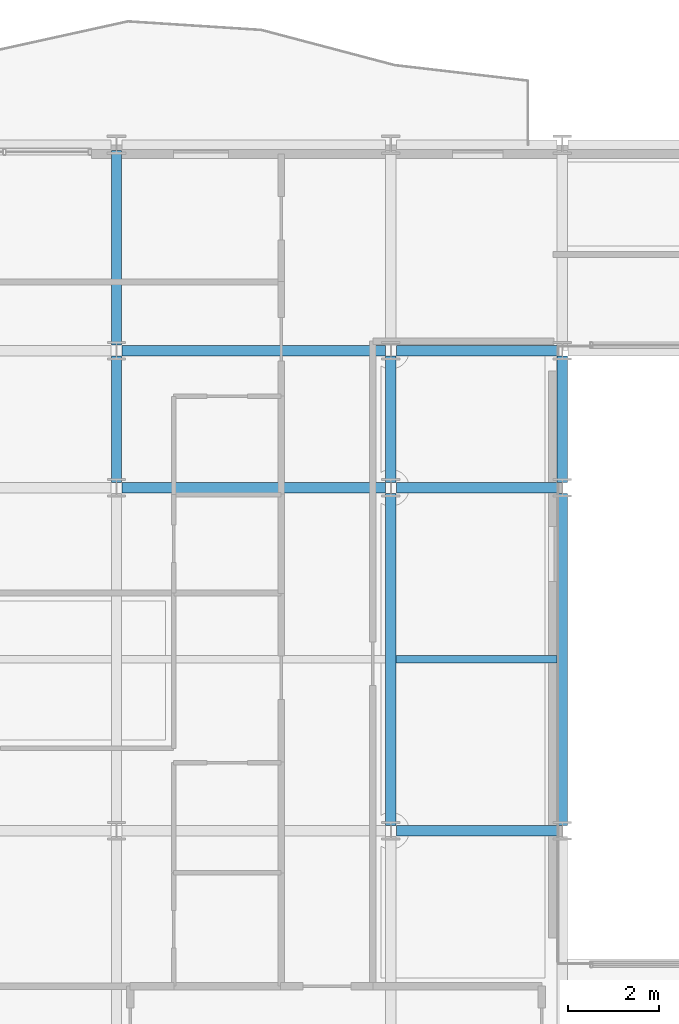
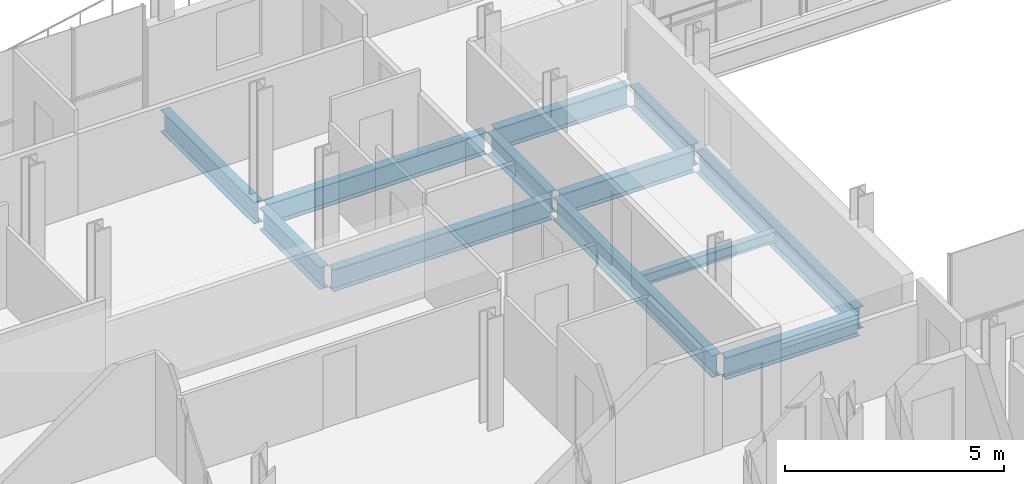
# One storey, part 10 of 41: 12 beams.
"""IFC4 building model written with IfcOpenShell, lengths in metres."""

from ifc_helpers import new_model, si_unit, direction, frame, origin, origin_2d, place, context, subcontext, project, spatial, i_section, extrude, material, material_profile, profile_set, type_object, element, save


model = new_model("IFC4")

# Units and contexts
model_context = context("Model", 3, precision=1e-05, world=origin(), true_north=direction((0.0, 1.0)))
body_context = subcontext(model_context, "Body", "Model", "MODEL_VIEW")
ifc_project = project(units=[si_unit("LENGTHUNIT", "METRE"), si_unit("AREAUNIT", "SQUARE_METRE"), si_unit("VOLUMEUNIT", "CUBIC_METRE"), si_unit("PLANEANGLEUNIT", "RADIAN"), si_unit("MASSUNIT", "GRAM", prefix="KILO")], contexts=[model_context])

# Site, building, storey
site_placement = place(None, origin())
site = spatial("IfcSite", under=ifc_project, at=site_placement, CompositionType="ELEMENT")
building_placement = place(site_placement, origin())
building = spatial("IfcBuilding", under=site, at=building_placement, Name="Brevholm Reach", CompositionType="ELEMENT")
storey_placement = place(building_placement, frame((0.0, 0.0, 163.5)))
storey = spatial("IfcBuildingStorey", under=building, at=storey_placement, Name="L49", CompositionType="ELEMENT", Elevation=163.5)

# Beams
ifc_material_1 = material(Name="Structural Steel S355J2", Category="steel")
ifc_material_profile_1 = material_profile(ifc_material_1, i_section(OverallWidth=0.1650390625, OverallDepth=0.303466796875, WebThickness=0.006103515625, FlangeThickness=0.01025390625, FilletRadius=0.0087890625, at=origin_2d()), Name="UKB 305x165x40")
ifc_profile_set_1 = profile_set([ifc_material_profile_1], Name="Structural Steel S355J2")
beam_type_1 = type_object("IfcBeamType", Name="BM-B305", PredefinedType="BEAM", material=ifc_profile_set_1)
beam_1_placement = place(storey_placement, frame((18.114501953125, 19.75, -0.37158203125), z_axis=(1.0, 0.0, 0.0), x_axis=(0.0, 1.0, 0.0)))
element("IfcBeam", 1, at=beam_1_placement, inside=storey, type_object=beam_type_1, Name="L49 Composite Secondary Floor Beam", PredefinedType="BEAM", context=body_context, shape_type="SweptSolid", body=[
    extrude(i_section(OverallWidth=0.1650390625, OverallDepth=0.303466796875, WebThickness=0.006103515625, FlangeThickness=0.01025390625, FilletRadius=0.0087890625, at=origin_2d()), origin(), (0.0, 0.0, 1.0), 3.52099609375),
])
ifc_material_2 = material(Name="Structural Steel S355J2", Category="steel")
ifc_material_profile_2 = material_profile(ifc_material_2, i_section(OverallWidth=0.22900390625, OverallDepth=0.6123046875, WebThickness=0.011962890625, FlangeThickness=0.01953125, FilletRadius=0.0126953125, at=origin_2d()), Name="UKB 610x229x125")
ifc_profile_set_2 = profile_set([ifc_material_profile_2], Name="Structural Steel S355J2")
beam_type_2 = type_object("IfcBeamType", Name="BM-SP610", PredefinedType="SPANDREL", material=ifc_profile_set_2)
beam_2_placement = place(storey_placement, frame((18.1201171875, 16.0, -0.526123046875), z_axis=(1.0, 0.0, 0.0), x_axis=(0.0, 1.0, 0.0)))
element("IfcBeam", 2, at=beam_2_placement, inside=storey, type_object=beam_type_2, Name="L49 SP-01 Framing Beam", PredefinedType="SPANDREL", context=body_context, shape_type="SweptSolid", body=[
    extrude(i_section(OverallWidth=0.22900390625, OverallDepth=0.6123046875, WebThickness=0.011962890625, FlangeThickness=0.01953125, FilletRadius=0.0126953125, at=origin_2d()), origin(), (0.0, 0.0, 1.0), 3.509765625),
])
beam_3_placement = place(storey_placement, frame((12.1201171875, 23.5, -0.526123046875), z_axis=(1.0, 0.0, 0.0), x_axis=(0.0, 1.0, 0.0)))
element("IfcBeam", 3, at=beam_3_placement, inside=storey, type_object=beam_type_2, Name="L49 SP-01 Framing Beam", PredefinedType="SPANDREL", context=body_context, shape_type="SweptSolid", body=[
    extrude(i_section(OverallWidth=0.22900390625, OverallDepth=0.6123046875, WebThickness=0.011962890625, FlangeThickness=0.01953125, FilletRadius=0.0126953125, at=origin_2d()), origin(), (0.0, 0.0, 1.0), 5.759765625),
])
beam_4_placement = place(storey_placement, frame((18.1201171875, 23.5, -0.526123046875), z_axis=(1.0, 0.0, 0.0), x_axis=(0.0, 1.0, 0.0)))
element("IfcBeam", 4, at=beam_4_placement, inside=storey, type_object=beam_type_2, Name="L49 SP-01 Framing Beam", PredefinedType="SPANDREL", context=body_context, shape_type="SweptSolid", body=[
    extrude(i_section(OverallWidth=0.22900390625, OverallDepth=0.6123046875, WebThickness=0.011962890625, FlangeThickness=0.01953125, FilletRadius=0.0126953125, at=origin_2d()), origin(), (0.0, 0.0, 1.0), 3.509765625),
])
beam_5_placement = place(storey_placement, frame((12.1201171875, 26.5, -0.526123046875), z_axis=(1.0, 0.0, 0.0), x_axis=(0.0, 1.0, 0.0)))
element("IfcBeam", 5, at=beam_5_placement, inside=storey, type_object=beam_type_2, Name="L49 SP-01 Framing Beam", PredefinedType="SPANDREL", context=body_context, shape_type="SweptSolid", body=[
    extrude(i_section(OverallWidth=0.22900390625, OverallDepth=0.6123046875, WebThickness=0.011962890625, FlangeThickness=0.01953125, FilletRadius=0.0126953125, at=origin_2d()), origin(), (0.0, 0.0, 1.0), 5.759765625),
])
beam_6_placement = place(storey_placement, frame((18.1201171875, 26.5, -0.526123046875), z_axis=(1.0, 0.0, 0.0), x_axis=(0.0, 1.0, 0.0)))
element("IfcBeam", 6, at=beam_6_placement, inside=storey, type_object=beam_type_2, Name="L49 SP-01 Framing Beam", PredefinedType="SPANDREL", context=body_context, shape_type="SweptSolid", body=[
    extrude(i_section(OverallWidth=0.22900390625, OverallDepth=0.6123046875, WebThickness=0.011962890625, FlangeThickness=0.01953125, FilletRadius=0.0126953125, at=origin_2d()), origin(), (0.0, 0.0, 1.0), 3.509765625),
])
beam_7_placement = place(storey_placement, frame((12.0, 23.6201171875, -0.526123046875), z_axis=(0.0, 1.0, 0.0), x_axis=(-1.0, 0.0, 0.0)))
element("IfcBeam", 7, at=beam_7_placement, inside=storey, type_object=beam_type_2, Name="L49 SP-01 Framing Beam", PredefinedType="SPANDREL", context=body_context, shape_type="SweptSolid", body=[
    extrude(i_section(OverallWidth=0.22900390625, OverallDepth=0.6123046875, WebThickness=0.011962890625, FlangeThickness=0.01953125, FilletRadius=0.0126953125, at=origin_2d()), origin(), (0.0, 0.0, 1.0), 2.759765625),
])
beam_8_placement = place(storey_placement, frame((12.0, 26.6201171875, -0.526123046875), z_axis=(0.0, 1.0, 0.0), x_axis=(-1.0, 0.0, 0.0)))
element("IfcBeam", 8, at=beam_8_placement, inside=storey, type_object=beam_type_2, Name="L49 SP-01 Framing Beam", PredefinedType="SPANDREL", context=body_context, shape_type="SweptSolid", body=[
    extrude(i_section(OverallWidth=0.22900390625, OverallDepth=0.6123046875, WebThickness=0.011962890625, FlangeThickness=0.01953125, FilletRadius=0.0126953125, at=origin_2d()), origin(), (0.0, 0.0, 1.0), 4.259765625),
])
beam_9_placement = place(storey_placement, frame((18.0, 16.1201171875, -0.526123046875), z_axis=(0.0, 1.0, 0.0), x_axis=(-1.0, 0.0, 0.0)))
element("IfcBeam", 9, at=beam_9_placement, inside=storey, type_object=beam_type_2, Name="L49 SP-01 Framing Beam", PredefinedType="SPANDREL", context=body_context, shape_type="SweptSolid", body=[
    extrude(i_section(OverallWidth=0.22900390625, OverallDepth=0.6123046875, WebThickness=0.011962890625, FlangeThickness=0.01953125, FilletRadius=0.0126953125, at=origin_2d()), origin(), (0.0, 0.0, 1.0), 7.259765625),
])
beam_10_placement = place(storey_placement, frame((18.0, 23.6201171875, -0.526123046875), z_axis=(0.0, 1.0, 0.0), x_axis=(-1.0, 0.0, 0.0)))
element("IfcBeam", 10, at=beam_10_placement, inside=storey, type_object=beam_type_2, Name="L49 SP-01 Framing Beam", PredefinedType="SPANDREL", context=body_context, shape_type="SweptSolid", body=[
    extrude(i_section(OverallWidth=0.22900390625, OverallDepth=0.6123046875, WebThickness=0.011962890625, FlangeThickness=0.01953125, FilletRadius=0.0126953125, at=origin_2d()), origin(), (0.0, 0.0, 1.0), 2.759765625),
])
beam_11_placement = place(storey_placement, frame((21.75, 16.1201171875, -0.526123046875), z_axis=(0.0, 1.0, 0.0), x_axis=(-1.0, 0.0, 0.0)))
element("IfcBeam", 11, at=beam_11_placement, inside=storey, type_object=beam_type_2, Name="L49 SP-01 Framing Beam", PredefinedType="SPANDREL", context=body_context, shape_type="SweptSolid", body=[
    extrude(i_section(OverallWidth=0.22900390625, OverallDepth=0.6123046875, WebThickness=0.011962890625, FlangeThickness=0.01953125, FilletRadius=0.0126953125, at=origin_2d()), origin(), (0.0, 0.0, 1.0), 7.259765625),
])
beam_12_placement = place(storey_placement, frame((21.75, 23.6201171875, -0.526123046875), z_axis=(0.0, 1.0, 0.0), x_axis=(-1.0, 0.0, 0.0)))
element("IfcBeam", 12, at=beam_12_placement, inside=storey, type_object=beam_type_2, Name="L49 SP-01 Framing Beam", PredefinedType="SPANDREL", context=body_context, shape_type="SweptSolid", body=[
    extrude(i_section(OverallWidth=0.22900390625, OverallDepth=0.6123046875, WebThickness=0.011962890625, FlangeThickness=0.01953125, FilletRadius=0.0126953125, at=origin_2d()), origin(), (0.0, 0.0, 1.0), 2.759765625),
])

save(model, "model.ifc")
